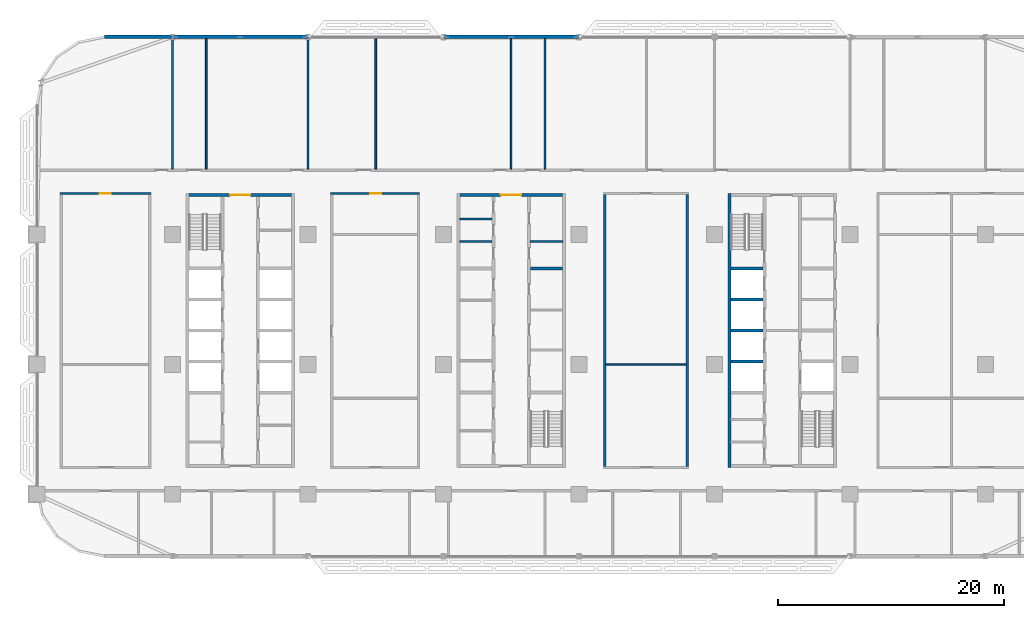
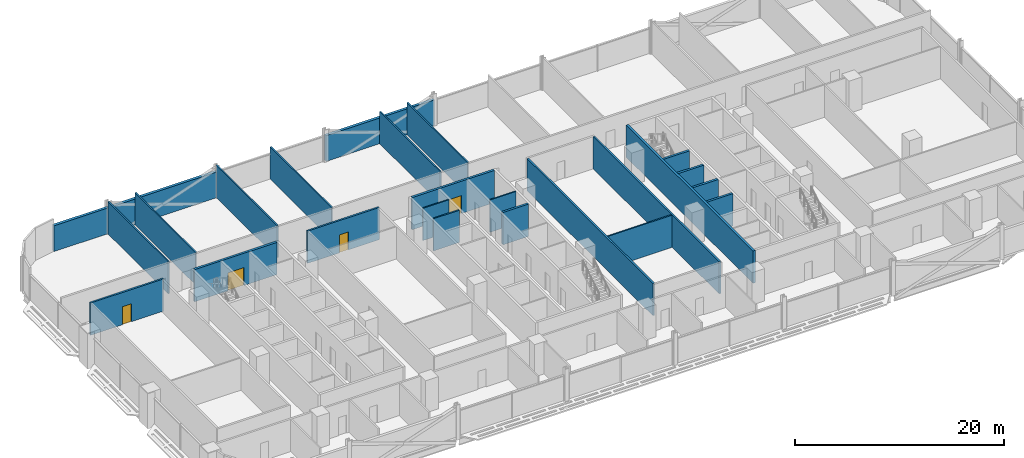
# One storey, part 14 of 29: 25 walls, 4 doors, 4 openings.
"""IFC4 building model written with IfcOpenShell, lengths in metres."""

from ifc_helpers import new_model, si_unit, direction, frame, frame_2d, origin, place, context, subcontext, project, spatial, rectangle, extrude, material, layer, layer_set, type_object, element, fill, save


model = new_model("IFC4")

# Units and contexts
model_context = context("Model", 3, precision=1e-05, world=origin(), true_north=direction((0.0, 1.0)))
body_context = subcontext(model_context, "Body", "Model", "MODEL_VIEW")
ifc_project = project(units=[si_unit("LENGTHUNIT", "METRE"), si_unit("AREAUNIT", "SQUARE_METRE"), si_unit("VOLUMEUNIT", "CUBIC_METRE"), si_unit("PLANEANGLEUNIT", "RADIAN"), si_unit("MASSUNIT", "GRAM", prefix="KILO")], contexts=[model_context])

# Site, building, storey
site_placement = place(None, origin())
site = spatial("IfcSite", under=ifc_project, at=site_placement, CompositionType="ELEMENT")
building_placement = place(site_placement, origin())
building = spatial("IfcBuilding", under=site, at=building_placement, Name="Mahtab Terrace Research Tower", CompositionType="ELEMENT")
storey_placement = place(building_placement, frame((0.0, 0.0, 88.89990234375)))
storey = spatial("IfcBuildingStorey", under=building, at=storey_placement, Name="L20", CompositionType="ELEMENT", Elevation=88.89990234375)

# Walls
ifc_material_1 = material(Name="Gypsum board partition")
ifc_layer_1 = layer(ifc_material_1, 0.14990234375)
ifc_layer_set_1 = layer_set([ifc_layer_1], Name="Core partition 150")
wall_type_1 = type_object("IfcWallType", Name="Core partition 150", PredefinedType="PARTITIONING", material=ifc_layer_set_1)
for number, where, z_axis, x_axis, name in (
    (1, (-4.550048828125, 10.875, 0.0), (0.0, 0.0, 1.0), (1.0, 0.0, 0.0), "Core wall B pWN788"),
    (2, (-4.550048828125, 12.875, 0.0), (0.0, 0.0, 1.0), (1.0, 0.0, 0.0), "Core wall B pWN988"),
    (3, (1.699951171875, 10.875, 0.0), (0.0, 0.0, 1.0), (1.0, 0.0, 0.0), "Core wall B pEN788"),
):
    element("IfcWall", number, at=place(storey_placement, frame(where, z_axis=z_axis, x_axis=x_axis)), inside=storey, type_object=wall_type_1, Name=name, PredefinedType="PARTITIONING", context=body_context, shape_type="SweptSolid", body=[
        extrude(rectangle(XDim=2.85009765625, YDim=0.14990234375, at=frame_2d((1.425048828125, 0.0))), origin(), (0.0, 0.0, 1.0), 3.760009765625),
    ])

# Wall, opening, door
ifc_material_2 = material(Name="Concrete C70/85", Category="concrete")
ifc_layer_2 = layer(ifc_material_2, 0.25)
ifc_layer_set_2 = layer_set([ifc_layer_2], Name="Core wall 250")
wall_type_2 = type_object("IfcWallType", Name="Core wall 250", PredefinedType="SOLIDWALL", material=ifc_layer_set_2)
wall_1_placement = place(storey_placement, frame((-28.550048828125, 15.0, 0.0), z_axis=(0.0, 0.0, 1.0), x_axis=(1.0, 0.0, 0.0)))
wall_1 = element("IfcWall", 4, at=wall_1_placement, inside=storey, type_object=wall_type_2, Name="Core wall A endN", PredefinedType="SOLIDWALL", context=body_context, shape_type="SweptSolid", body=[
    extrude(rectangle(XDim=9.10009765625, YDim=0.25, at=frame_2d((4.550048828125, 0.0))), origin(), (0.0, 0.0, 1.0), 3.760009765625),
])
opening_1_placement = place(wall_1_placement, frame((3.64990234375, 0.0, 0.0)))
opening_1 = element("IfcOpeningElement", 5, at=opening_1_placement, cuts=wall_1, Name="Opening A-N1", PredefinedType="OPENING", context=body_context, shape_type="SweptSolid", body=[
    extrude(rectangle(XDim=1.800048828125, YDim=2.10009765625, at=frame_2d((0.89990234375, 1.050048828125))), frame((0.0, 0.135009765625, 0.0), z_axis=(0.0, -1.0, 0.0), x_axis=(1.0, 0.0, 0.0)), (0.0, 0.0, 1.0), 0.27001953125),
])
ifc_material_3 = material(Name="Steel fire door", Category="steel")
door_type_1 = type_object("IfcDoorType", Name="Lobby double door 1800x2100 1 HR", OperationType="DOUBLE_DOOR_SINGLE_SWING", PredefinedType="DOOR", material=ifc_material_3)
door_1_placement = place(opening_1_placement, origin())
door_1 = element("IfcDoor", 6, at=door_1_placement, inside=storey, type_object=door_type_1, Name="Core entrance door A N", OperationType="DOUBLE_DOOR_SINGLE_SWING", OverallHeight=2.10009765625, OverallWidth=1.800048828125, PredefinedType="DOOR", context=body_context, shape_type="SweptSolid", body=[
    extrude(rectangle(XDim=1.800048828125, YDim=2.10009765625, at=frame_2d((0.89990234375, 1.050048828125))), frame((0.0, 0.02490234375, 0.0), z_axis=(0.0, -1.0, 0.0), x_axis=(1.0, 0.0, 0.0)), (0.0, 0.0, 1.0), 0.050048828125),
])
fill(opening_1, door_1)

wall_2_placement = place(storey_placement, frame((-4.550048828125, 15.0, 0.0), z_axis=(0.0, 0.0, 1.0), x_axis=(1.0, 0.0, 0.0)))
wall_2 = element("IfcWall", 7, at=wall_2_placement, inside=storey, type_object=wall_type_2, Name="Core wall B endN", PredefinedType="SOLIDWALL", context=body_context, shape_type="SweptSolid", body=[
    extrude(rectangle(XDim=9.10009765625, YDim=0.25, at=frame_2d((4.550048828125, 0.0))), origin(), (0.0, 0.0, 1.0), 3.760009765625),
])
opening_2_placement = place(wall_2_placement, frame((3.64990234375, 0.0, 0.0)))
opening_2 = element("IfcOpeningElement", 8, at=opening_2_placement, cuts=wall_2, Name="Opening B-N1", PredefinedType="OPENING", context=body_context, shape_type="SweptSolid", body=[
    extrude(rectangle(XDim=1.800048828125, YDim=2.10009765625, at=frame_2d((0.89990234375, 1.050048828125))), frame((0.0, 0.135009765625, 0.0), z_axis=(0.0, -1.0, 0.0), x_axis=(1.0, 0.0, 0.0)), (0.0, 0.0, 1.0), 0.27001953125),
])
door_2_placement = place(opening_2_placement, origin())
door_2 = element("IfcDoor", 9, at=door_2_placement, inside=storey, type_object=door_type_1, Name="Core entrance door B N", OperationType="DOUBLE_DOOR_SINGLE_SWING", OverallHeight=2.10009765625, OverallWidth=1.800048828125, PredefinedType="DOOR", context=body_context, shape_type="SweptSolid", body=[
    extrude(rectangle(XDim=1.800048828125, YDim=2.10009765625, at=frame_2d((0.89990234375, 1.050048828125))), frame((0.0, 0.02490234375, 0.0), z_axis=(0.0, -1.0, 0.0), x_axis=(1.0, 0.0, 0.0)), (0.0, 0.0, 1.0), 0.050048828125),
])
fill(opening_2, door_2)

# Walls
wall_3_placement = place(storey_placement, frame((1.699951171875, 8.5, 0.0), z_axis=(0.0, 0.0, 1.0), x_axis=(1.0, 0.0, 0.0)))
element("IfcWall", 10, at=wall_3_placement, inside=storey, type_object=wall_type_2, Name="Core wall B divE4", PredefinedType="SOLIDWALL", context=body_context, shape_type="SweptSolid", body=[
    extrude(rectangle(XDim=2.85009765625, YDim=0.25, at=frame_2d((1.425048828125, 0.0))), origin(), (0.0, 0.0, 1.0), 3.760009765625),
])
wall_4_placement = place(storey_placement, frame((19.324951171875, 15.125, 0.0), z_axis=(0.0, 0.0, 1.0), x_axis=(0.0, -1.0, 0.0)))
element("IfcWall", 11, at=wall_4_placement, inside=storey, type_object=wall_type_2, Name="Core wall C outerW", PredefinedType="SOLIDWALL", context=body_context, shape_type="SweptSolid", body=[
    extrude(rectangle(XDim=24.25, YDim=0.25, at=frame_2d((12.125, 0.0))), origin(), (0.0, 0.0, 1.0), 3.760009765625),
])
for number, where, z_axis, x_axis, name in (
    (12, (19.449951171875, 0.25, 0.0), (0.0, 0.0, 1.0), (1.0, 0.0, 0.0), "Core wall C divW1"),
    (13, (19.449951171875, 3.0, 0.0), (0.0, 0.0, 1.0), (1.0, 0.0, 0.0), "Core wall C divW2"),
    (14, (19.449951171875, 5.75, 0.0), (0.0, 0.0, 1.0), (1.0, 0.0, 0.0), "Core wall C divW3"),
    (15, (19.449951171875, 8.5, 0.0), (0.0, 0.0, 1.0), (1.0, 0.0, 0.0), "Core wall C divW4"),
):
    element("IfcWall", number, at=place(storey_placement, frame(where, z_axis=z_axis, x_axis=x_axis)), inside=storey, type_object=wall_type_2, Name=name, PredefinedType="SOLIDWALL", context=body_context, shape_type="SweptSolid", body=[
        extrude(rectangle(XDim=2.85009765625, YDim=0.25, at=frame_2d((1.425048828125, 0.0))), origin(), (0.0, 0.0, 1.0), 3.760009765625),
    ])
ifc_material_4 = material(Name="Black aluminium cladding panel", Category="aluminium")
ifc_layer_3 = layer(ifc_material_4, 0.300048828125)
ifc_layer_set_3 = layer_set([ifc_layer_3], Name="Opaque facade wall 300")
wall_type_3 = type_object("IfcWallType", Name="Opaque facade wall 300", PredefinedType="NOTDEFINED", material=ifc_layer_set_3)
for number, where, z_axis, x_axis, name in (
    (16, (5.97900390625, 29.0, 0.0), (0.0, 0.0, 1.0), (-1.0, 0.0, 0.0), "Opaque facade wall L20 N7"),
    (17, (-18.02099609375, 29.0, 0.0), (0.0, 0.0, 1.0), (-1.0, 0.0, 0.0), "Opaque facade wall L20 N9"),
):
    element("IfcWall", number, at=place(storey_placement, frame(where, z_axis=z_axis, x_axis=x_axis)), inside=storey, type_object=wall_type_3, Name=name, PredefinedType="NOTDEFINED", context=body_context, shape_type="SweptSolid", body=[
        extrude(rectangle(XDim=11.9580078125, YDim=0.300048828125, at=frame_2d((5.97900390625, 0.0))), origin(), (0.0, 0.0, 1.0), 3.003173828125),
    ])
wall_5_placement = place(storey_placement, frame((-30.02099609375, 29.0, 0.0), z_axis=(0.0, 0.0, 1.0), x_axis=(-1.0, 0.0, 0.0)))
element("IfcWall", 18, at=wall_5_placement, inside=storey, type_object=wall_type_3, Name="Opaque facade wall L20 N10", PredefinedType="NOTDEFINED", context=body_context, shape_type="SweptSolid", body=[
    extrude(rectangle(XDim=5.97900390625, YDim=0.300048828125, at=frame_2d((2.989501953125, 0.0))), origin(), (0.0, 0.0, 1.0), 3.003173828125),
])

# Wall, opening, door
ifc_material_5 = material(Name="Gypsum board corridor wall on steel studs", Category="steel")
ifc_layer_4 = layer(ifc_material_5, 0.199951171875)
ifc_layer_set_4 = layer_set([ifc_layer_4], Name="WALL CORRIDOR 200")
wall_type_4 = type_object("IfcWallType", Name="WALL CORRIDOR 200", PredefinedType="PARTITIONING", material=ifc_layer_set_4)
wall_6_placement = place(storey_placement, frame((-39.949951171875, 15.125, 0.0), z_axis=(0.0, 0.0, 1.0), x_axis=(1.0, 0.0, 0.0)))
wall_6 = element("IfcWall", 19, at=wall_6_placement, inside=storey, type_object=wall_type_4, Name="L20-W020", PredefinedType="PARTITIONING", context=body_context, shape_type="SweptSolid", body=[
    extrude(rectangle(XDim=8.050048828125, YDim=0.199951171875, at=frame_2d((4.02490234375, 0.0))), origin(), (0.0, 0.0, 1.0), 3.760009765625),
])
opening_3_placement = place(wall_6_placement, frame((3.5, 0.0, 0.0)))
opening_3 = element("IfcOpeningElement", 20, at=opening_3_placement, cuts=wall_6, Name="Opening L20-122", PredefinedType="OPENING", context=body_context, shape_type="SweptSolid", body=[
    extrude(rectangle(XDim=1.0, YDim=2.10009765625, at=frame_2d((0.5, 1.050048828125))), frame((0.0, 0.10986328125, 0.0), z_axis=(0.0, -1.0, 0.0), x_axis=(1.0, 0.0, 0.0)), (0.0, 0.0, 1.0), 0.219970703125),
])
ifc_material_6 = material(Name="Timber door leaf in steel frame", Category="steel")
door_type_2 = type_object("IfcDoorType", Name="DOOR 1000X2100 FD30S", OperationType="SINGLE_SWING_LEFT", PredefinedType="DOOR", material=ifc_material_6)
door_3_placement = place(opening_3_placement, origin())
door_3 = element("IfcDoor", 21, at=door_3_placement, inside=storey, type_object=door_type_2, Name="Door L20-122", OperationType="SINGLE_SWING_RIGHT", OverallHeight=2.10009765625, OverallWidth=1.0, PredefinedType="DOOR", context=body_context, shape_type="SweptSolid", body=[
    extrude(rectangle(XDim=1.0, YDim=2.10009765625, at=frame_2d((0.5, 1.050048828125))), frame((0.0, 0.02490234375, 0.0), z_axis=(0.0, -1.0, 0.0), x_axis=(1.0, 0.0, 0.0)), (0.0, 0.0, 1.0), 0.050048828125),
])
fill(opening_3, door_3)

wall_7_placement = place(storey_placement, frame((-16.0, 15.125, 0.0), z_axis=(0.0, 0.0, 1.0), x_axis=(1.0, 0.0, 0.0)))
wall_7 = element("IfcWall", 22, at=wall_7_placement, inside=storey, type_object=wall_type_4, Name="L20-W021", PredefinedType="PARTITIONING", context=body_context, shape_type="SweptSolid", body=[
    extrude(rectangle(XDim=7.89990234375, YDim=0.199951171875, at=frame_2d((3.949951171875, 0.0))), origin(), (0.0, 0.0, 1.0), 3.760009765625),
])
opening_4_placement = place(wall_7_placement, frame((3.5, 0.0, 0.0)))
opening_4 = element("IfcOpeningElement", 23, at=opening_4_placement, cuts=wall_7, Name="Opening L20-124", PredefinedType="OPENING", context=body_context, shape_type="SweptSolid", body=[
    extrude(rectangle(XDim=1.0, YDim=2.10009765625, at=frame_2d((0.5, 1.050048828125))), frame((0.0, 0.10986328125, 0.0), z_axis=(0.0, -1.0, 0.0), x_axis=(1.0, 0.0, 0.0)), (0.0, 0.0, 1.0), 0.219970703125),
])
door_4_placement = place(opening_4_placement, origin())
door_4 = element("IfcDoor", 24, at=door_4_placement, inside=storey, type_object=door_type_2, Name="Door L20-124", OperationType="SINGLE_SWING_LEFT", OverallHeight=2.10009765625, OverallWidth=1.0, PredefinedType="DOOR", context=body_context, shape_type="SweptSolid", body=[
    extrude(rectangle(XDim=1.0, YDim=2.10009765625, at=frame_2d((0.5, 1.050048828125))), frame((0.0, 0.02490234375, 0.0), z_axis=(0.0, -1.0, 0.0), x_axis=(1.0, 0.0, 0.0)), (0.0, 0.0, 1.0), 0.050048828125),
])
fill(opening_4, door_4)

# Walls
for number, where, z_axis, x_axis, name in (
    (25, (8.300048828125, -9.02490234375, 0.0), (0.0, 0.0, 1.0), (0.0, 1.0, 0.0), "L20-W041"),
    (26, (15.60009765625, -9.02490234375, 0.0), (0.0, 0.0, 1.0), (0.0, 1.0, 0.0), "L20-W045"),
):
    element("IfcWall", number, at=place(storey_placement, frame(where, z_axis=z_axis, x_axis=x_axis)), inside=storey, type_object=wall_type_4, Name=name, PredefinedType="PARTITIONING", context=body_context, shape_type="SweptSolid", body=[
        extrude(rectangle(XDim=24.0498046875, YDim=0.199951171875, at=frame_2d((12.02490234375, 0.0))), origin(), (0.0, 0.0, 1.0), 3.760009765625),
    ])
ifc_material_7 = material(Name="Gypsum board partition on steel studs", Category="steel")
ifc_layer_5 = layer(ifc_material_7, 0.14990234375)
ifc_layer_set_5 = layer_set([ifc_layer_5], Name="WALL PARTITION 150")
wall_type_5 = type_object("IfcWallType", Name="WALL PARTITION 150", PredefinedType="PARTITIONING", material=ifc_layer_set_5)
wall_8_placement = place(storey_placement, frame((8.39990234375, 0.0, 0.0), z_axis=(0.0, 0.0, 1.0), x_axis=(1.0, 0.0, 0.0)))
element("IfcWall", 27, at=wall_8_placement, inside=storey, type_object=wall_type_5, Name="L20-W016", PredefinedType="PARTITIONING", context=body_context, shape_type="SweptSolid", body=[
    extrude(rectangle(XDim=7.10009765625, YDim=0.14990234375, at=frame_2d((3.550048828125, 0.0))), origin(), (0.0, 0.0, 1.0), 3.760009765625),
])
for number, where, z_axis, x_axis, name in (
    (28, (-30.0, 17.300048828125, 0.0), (0.0, 0.0, 1.0), (0.0, 1.0, 0.0), "L20-W028"),
    (29, (-27.0, 17.300048828125, 0.0), (0.0, 0.0, 1.0), (0.0, 1.0, 0.0), "L20-W029"),
):
    element("IfcWall", number, at=place(storey_placement, frame(where, z_axis=z_axis, x_axis=x_axis)), inside=storey, type_object=wall_type_5, Name=name, PredefinedType="PARTITIONING", context=body_context, shape_type="SweptSolid", body=[
        extrude(rectangle(XDim=11.550048828125, YDim=0.14990234375, at=frame_2d((5.77490234375, 0.0))), origin(), (0.0, 0.0, 1.0), 3.760009765625),
    ])
for number, where, z_axis, x_axis, name in (
    (30, (-18.0, 17.300048828125, 0.0), (0.0, 0.0, 1.0), (0.0, 1.0, 0.0), "L20-W032"),
    (31, (-12.0, 17.300048828125, 0.0), (0.0, 0.0, 1.0), (0.0, 1.0, 0.0), "L20-W034"),
):
    element("IfcWall", number, at=place(storey_placement, frame(where, z_axis=z_axis, x_axis=x_axis)), inside=storey, type_object=wall_type_5, Name=name, PredefinedType="PARTITIONING", context=body_context, shape_type="SweptSolid", body=[
        extrude(rectangle(XDim=11.675048828125, YDim=0.14990234375, at=frame_2d((5.83740234375, 0.0))), origin(), (0.0, 0.0, 1.0), 3.760009765625),
    ])
for number, where, z_axis, x_axis, name in (
    (32, (0.0, 17.300048828125, 0.0), (0.0, 0.0, 1.0), (0.0, 1.0, 0.0), "L20-W038"),
    (33, (3.0, 17.300048828125, 0.0), (0.0, 0.0, 1.0), (0.0, 1.0, 0.0), "L20-W040"),
):
    element("IfcWall", number, at=place(storey_placement, frame(where, z_axis=z_axis, x_axis=x_axis)), inside=storey, type_object=wall_type_5, Name=name, PredefinedType="PARTITIONING", context=body_context, shape_type="SweptSolid", body=[
        extrude(rectangle(XDim=11.550048828125, YDim=0.14990234375, at=frame_2d((5.77490234375, 0.0))), origin(), (0.0, 0.0, 1.0), 3.760009765625),
    ])

save(model, "model.ifc")
